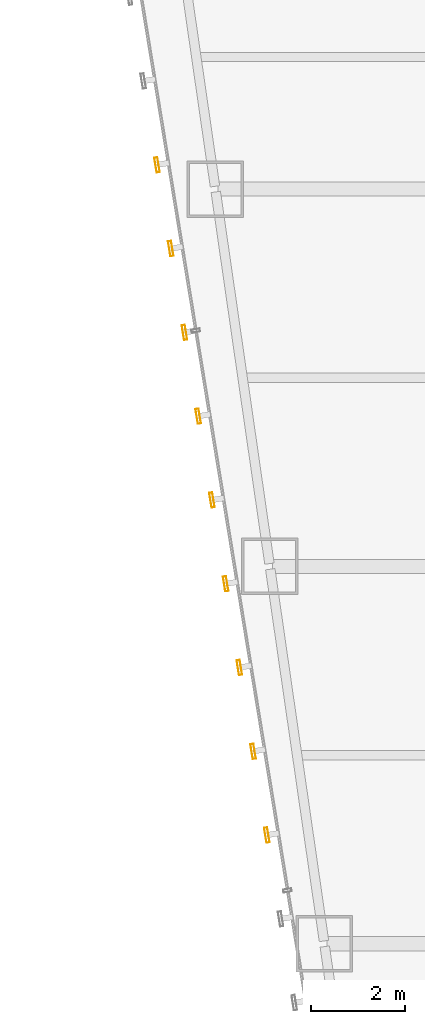
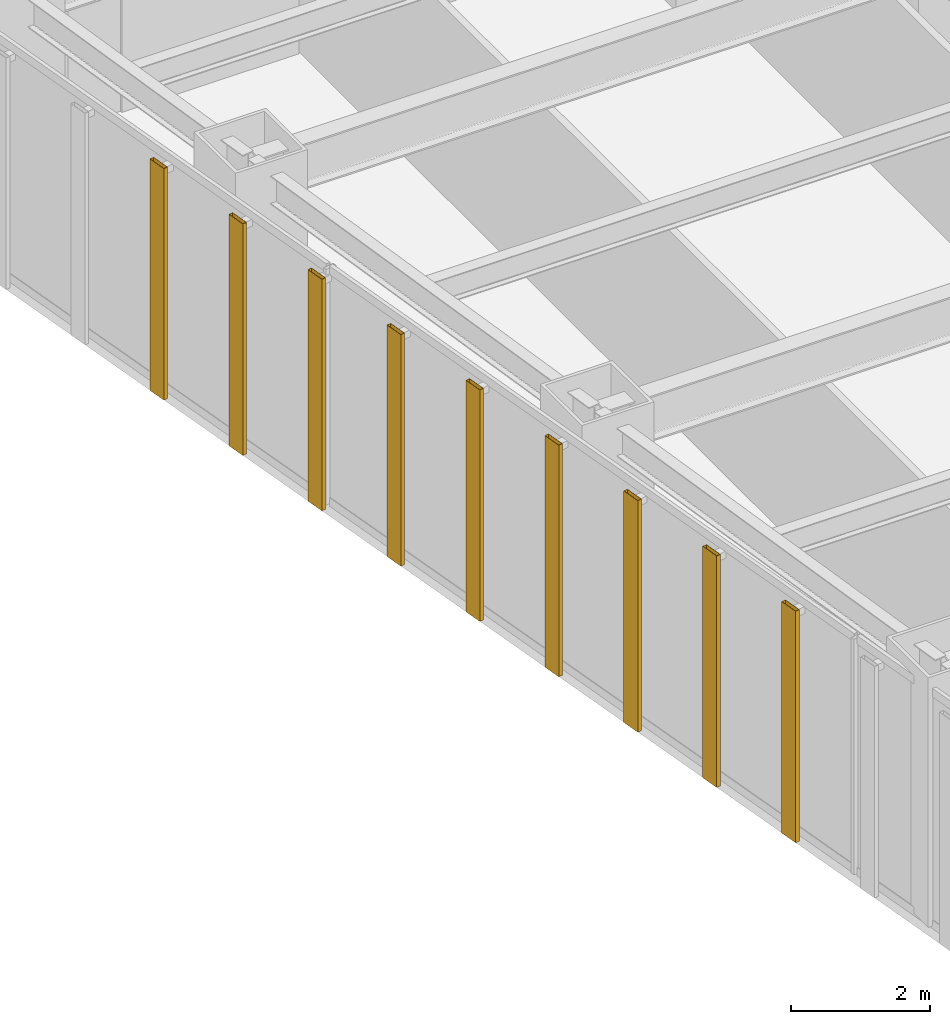
# One storey, part 43 of 47: 9 shading devices.
"""IFC4 building model written with IfcOpenShell, lengths in metres."""

import ifcopenshell
import ifcopenshell.guid

model = None  # the IFC model being written
_history = None  # IfcOwnerHistory: only IFC2X3 demands one
_inside = {}  # id of a spatial element -> (the spatial element, [elements in it])
_under = {}  # id of a project, library or spatial element -> (it, [spatial elements below it])
_declared = {}  # id of a project -> (the project, [libraries it declares])
_typed = {}  # id of a type object -> (the type object, [elements of that type])
_made_of = {}  # id of a material, layer set ... -> (it, [elements and type objects made of it])


def new_model(schema):
    """Start an empty IFC model of exactly this schema.

    Asked for "IFC4X3", IfcOpenShell would pick the latest addendum, in which some entities
    have other attributes; the version numbers below select the first issue.
    IFC2X3 requires an IfcOwnerHistory on every rooted entity: one is made here for all.
    """
    global model, _history
    if schema == "IFC4X3":
        model = ifcopenshell.file(schema_version=(4, 3, 0, 0))
    else:
        model = ifcopenshell.file(schema=schema)
    _inside.clear()
    _under.clear()
    _declared.clear()
    _typed.clear()
    _made_of.clear()
    _history = None
    if model.schema == "IFC2X3":
        org = make("IfcOrganization", Name="unknown")
        user = make(
            "IfcPersonAndOrganization",
            ThePerson=make("IfcPerson", FamilyName="unknown"),
            TheOrganization=org,
        )
        app = make(
            "IfcApplication",
            ApplicationDeveloper=org,
            Version="unknown",
            ApplicationFullName="unknown",
            ApplicationIdentifier="unknown",
        )
        _history = make(
            "IfcOwnerHistory",
            OwningUser=user,
            OwningApplication=app,
            ChangeAction="ADDED",
            CreationDate=0,
        )
    return model


def make(cls, **values):
    """One entity of the class cls with the attributes given. An attribute that is None is left unset."""
    return model.create_entity(
        cls, **{name: value for name, value in values.items() if value is not None}
    )


def rooted(cls, **values):
    """An entity with a GlobalId (a new one), such as an element, a storey or a relation."""
    return make(cls, GlobalId=ifcopenshell.guid.new(), OwnerHistory=_history, **values)


def si_unit(unit_type, name, prefix=None):
    """IfcSIUnit, for example si_unit("LENGTHUNIT", "METRE", prefix="MILLI")."""
    return make("IfcSIUnit", UnitType=unit_type, Prefix=prefix, Name=name)


def assignment(units):
    """IfcUnitAssignment: the units of a project."""
    return None if units is None else make("IfcUnitAssignment", Units=units)


def point(xyz):
    """IfcCartesianPoint."""
    return None if xyz is None else make("IfcCartesianPoint", Coordinates=xyz)


def direction(xyz):
    """IfcDirection."""
    return None if xyz is None else make("IfcDirection", DirectionRatios=xyz)


def frame(location, z_axis=None, x_axis=None):
    """IfcAxis2Placement3D, a coordinate frame: its origin and axes. An axis left out is left unset."""
    return make(
        "IfcAxis2Placement3D",
        Location=point(location),
        Axis=direction(z_axis),
        RefDirection=direction(x_axis),
    )


def frame_2d(location, x_axis=None):
    """IfcAxis2Placement2D, a coordinate frame in the plane: its origin and x axis."""
    return make(
        "IfcAxis2Placement2D", Location=point(location), RefDirection=direction(x_axis)
    )


def origin():
    """The frame at (0, 0, 0) with its axes left unset."""
    return frame((0.0, 0.0, 0.0))


def origin_2d():
    """The frame at (0, 0) in the plane with its x axis left unset."""
    return frame_2d((0.0, 0.0))


def place(relative_to, where):
    """IfcLocalPlacement: puts the frame where relative to a parent placement (None: the world)."""
    return make(
        "IfcLocalPlacement", PlacementRelTo=relative_to, RelativePlacement=where
    )


def context(
    kind, dimensions, precision=None, world=None, true_north=None, identifier=None
):
    """IfcGeometricRepresentationContext, for example the 3D "Model" context."""
    return make(
        "IfcGeometricRepresentationContext",
        ContextIdentifier=identifier,
        ContextType=kind,
        CoordinateSpaceDimension=dimensions,
        Precision=precision,
        WorldCoordinateSystem=world,
        TrueNorth=true_north,
    )


def subcontext(parent, identifier, kind, view, scale=None):
    """IfcGeometricRepresentationSubContext, for example "Body" below "Model"."""
    return make(
        "IfcGeometricRepresentationSubContext",
        ContextIdentifier=identifier,
        ContextType=kind,
        ParentContext=parent,
        TargetScale=scale,
        TargetView=view,
    )


def project(units=None, contexts=None):
    """IfcProject with its units and contexts."""
    return rooted(
        "IfcProject",
        Name="project",
        RepresentationContexts=contexts,
        UnitsInContext=assignment(units),
    )


def spatial(cls, under=None, at=None, **own):
    """A site, building, storey or space (cls), placed at a placement, below another one or the project."""
    s = rooted(cls, ObjectPlacement=at, **own)
    if under is not None:
        _under.setdefault(under.id(), (under, []))[1].append(s)
    return s


def profile(cls, at=None, kind="AREA", **sizes):
    """A parametric profile (cls). Its sizes go by their IFC names, for example OverallWidth=200.0."""
    return make(cls, ProfileType=kind, Position=at, **sizes)


def hollow_rectangle(**sizes):
    """IfcRectangleHollowProfileDef."""
    return profile("IfcRectangleHollowProfileDef", **sizes)


def extrude(swept, where, along, depth):
    """IfcExtrudedAreaSolid: the profile swept, set in the frame where, extruded along a direction by depth."""
    return make(
        "IfcExtrudedAreaSolid",
        SweptArea=swept,
        Position=where,
        ExtrudedDirection=direction(along),
        Depth=depth,
    )


def shape(context_of_items, identifier, shape_type, items):
    """IfcShapeRepresentation: the items that make up one representation, for example the "Body"."""
    return make(
        "IfcShapeRepresentation",
        ContextOfItems=context_of_items,
        RepresentationIdentifier=identifier,
        RepresentationType=shape_type,
        Items=items,
    )


def material(Name=None, Category=None):
    """IfcMaterial."""
    return make("IfcMaterial", Name=Name, Category=Category)


def material_profile(
    of_material, cross_section, Name=None, Category=None, Priority=None
):
    """IfcMaterialProfile: a cross section and its material."""
    return make(
        "IfcMaterialProfile",
        Name=Name,
        Material=of_material,
        Profile=cross_section,
        Priority=Priority,
        Category=Category,
    )


def profile_set(profiles, Name=None, composite=None):
    """IfcMaterialProfileSet."""
    return make(
        "IfcMaterialProfileSet",
        Name=Name,
        MaterialProfiles=profiles,
        CompositeProfile=composite,
    )


def made_of(thing, what):
    """Note that an element or type object is made of a material, layer set ...; save() writes the relation."""
    if what is not None:
        _made_of.setdefault(what.id(), (what, []))[1].append(thing)
    return thing


def type_object(cls, material=None, **own):
    """A type object (cls), such as IfcWallType, which elements share."""
    return made_of(rooted(cls, **own), material)


def element(
    cls,
    number,
    at=None,
    inside=None,
    cuts=None,
    type_object=None,
    material=None,
    context=None,
    identifier="Body",
    shape_type=None,
    held_by="IfcProductDefinitionShape",
    body=None,
    shapes=None,
    **own,
):
    """One element of the class cls, such as IfcWall. Its Tag is "e" and its number.

    at: its placement. inside: the storey or other place that contains it. cuts: it is an
    opening in that element (IfcRelVoidsElement). A single representation is given by context,
    identifier, shape_type and body (its items); several are given by shapes. held_by: the class
    of the entity that holds the representations. save() writes the other relations.
    """
    e = rooted(cls, Tag="e%d" % number, ObjectPlacement=at, **own)
    if body is not None:
        shapes = [shape(context, identifier, shape_type, body)]
    if shapes is not None:
        e.Representation = make(held_by, Representations=shapes)
    if inside is not None:
        _inside.setdefault(inside.id(), (inside, []))[1].append(e)
    if cuts is not None:
        rooted(
            "IfcRelVoidsElement", RelatingBuildingElement=cuts, RelatedOpeningElement=e
        )
    if type_object is not None:
        _typed.setdefault(type_object.id(), (type_object, []))[1].append(e)
    return made_of(e, material)


def aggregate(whole, parts):
    """IfcRelAggregates: a whole, such as a stair, and the parts it consists of."""
    return rooted("IfcRelAggregates", RelatingObject=whole, RelatedObjects=parts)


def save(model, path):
    """Write the relations noted so far, then the file.

    IfcRelAggregates (storeys below a building ...), IfcRelContainedInSpatialStructure (elements
    in a storey), IfcRelDefinesByType, IfcRelAssociatesMaterial and IfcRelDeclares: one each for
    every whole, place, type object, material and project.
    """
    for whole, parts in _under.values():
        aggregate(whole, parts)
    for where, things in _inside.values():
        rooted(
            "IfcRelContainedInSpatialStructure",
            RelatedElements=things,
            RelatingStructure=where,
        )
    for kind, things in _typed.values():
        rooted("IfcRelDefinesByType", RelatedObjects=things, RelatingType=kind)
    for what, things in _made_of.values():
        rooted("IfcRelAssociatesMaterial", RelatedObjects=things, RelatingMaterial=what)
    for by, libraries in _declared.values():
        rooted("IfcRelDeclares", RelatingContext=by, RelatedDefinitions=libraries)
    model.write(path)


model = new_model("IFC4")

# Units and contexts
model_context = context("Model", 3, precision=1e-05, world=origin(), true_north=direction((0.0, 1.0)))
body_context = subcontext(model_context, "Body", "Model", "MODEL_VIEW")
ifc_project = project(units=[si_unit("LENGTHUNIT", "METRE"), si_unit("AREAUNIT", "SQUARE_METRE"), si_unit("VOLUMEUNIT", "CUBIC_METRE"), si_unit("PLANEANGLEUNIT", "RADIAN"), si_unit("MASSUNIT", "GRAM", prefix="KILO")], contexts=[model_context])

# Site, building, storey
site_placement = place(None, origin())
site = spatial("IfcSite", under=ifc_project, at=site_placement, CompositionType="ELEMENT")
building_placement = place(site_placement, origin())
building = spatial("IfcBuilding", under=site, at=building_placement, Name="Saevonmaru Cultural Tower", CompositionType="ELEMENT")
storey_placement = place(building_placement, frame((0.0, 0.0, 69.199951171875)))
storey = spatial("IfcBuildingStorey", under=building, at=storey_placement, Name="L14", CompositionType="ELEMENT", Elevation=69.199951171875)

# Shading devices
ifc_material = material(Name="Satin Bronze Anodised Aluminium", Category="aluminium")
ifc_material_profile = material_profile(ifc_material, hollow_rectangle(XDim=0.070068359375, YDim=0.320068359375, WallThickness=0.0048828125, at=origin_2d()), Name="FIN-320x70")
ifc_profile_set = profile_set([ifc_material_profile], Name="Satin Bronze Anodised Aluminium")
shading_device_type = type_object("IfcShadingDeviceType", Name="SHD-FIN-320", PredefinedType="JALOUSIE", material=ifc_profile_set)
for number, where, z_axis, x_axis, name in (
    (1, (7.0810546875, 32.513916015625, 0.050048828125), (0.0, 0.0, 1.0), (-0.986827496189, -0.161776057456, 0.0), "L14 Art Deco Sawtooth Bronze Fin E12-12"),
    (2, (7.3720703125, 30.737548828125, 0.050048828125), (0.0, 0.0, 1.0), (-0.986827496189, -0.161776057456, 0.0), "L14 Art Deco Sawtooth Bronze Fin E12-13"),
    (3, (7.6630859375, 28.961181640625, 0.050048828125), (0.0, 0.0, 1.0), (-0.986827496189, -0.161776057456, 0.0), "L14 Art Deco Sawtooth Bronze Fin E12-14"),
    (4, (7.9541015625, 27.184814453125, 0.050048828125), (0.0, 0.0, 1.0), (-0.986827496189, -0.161776057456, 0.0), "L14 Art Deco Sawtooth Bronze Fin E12-15"),
    (5, (8.245361328125, 25.40869140625, 0.050048828125), (0.0, 0.0, 1.0), (-0.986827496189, -0.161776057456, 0.0), "L14 Art Deco Sawtooth Bronze Fin E12-16"),
    (6, (8.536376953125, 23.63232421875, 0.050048828125), (0.0, 0.0, 1.0), (-0.986827496189, -0.161776057456, 0.0), "L14 Art Deco Sawtooth Bronze Fin E12-17"),
    (7, (8.827392578125, 21.85595703125, 0.050048828125), (0.0, 0.0, 1.0), (-0.986827496189, -0.161776057456, 0.0), "L14 Art Deco Sawtooth Bronze Fin E12-18"),
    (8, (9.118408203125, 20.07958984375, 0.050048828125), (0.0, 0.0, 1.0), (-0.986827496189, -0.161776057456, 0.0), "L14 Art Deco Sawtooth Bronze Fin E12-19"),
    (9, (9.40966796875, 18.30322265625, 0.050048828125), (0.0, 0.0, 1.0), (-0.986827496189, -0.161776057456, 0.0), "L14 Art Deco Sawtooth Bronze Fin E12-20"),
):
    element("IfcShadingDevice", number, at=place(storey_placement, frame(where, z_axis=z_axis, x_axis=x_axis)), inside=storey, type_object=shading_device_type, Name=name, PredefinedType="JALOUSIE", context=body_context, shape_type="SweptSolid", body=[
        extrude(hollow_rectangle(XDim=0.070068359375, YDim=0.320068359375, WallThickness=0.0048828125, at=origin_2d()), origin(), (0.0, 0.0, 1.0), 4.080078125),
    ])

save(model, "model.ifc")
